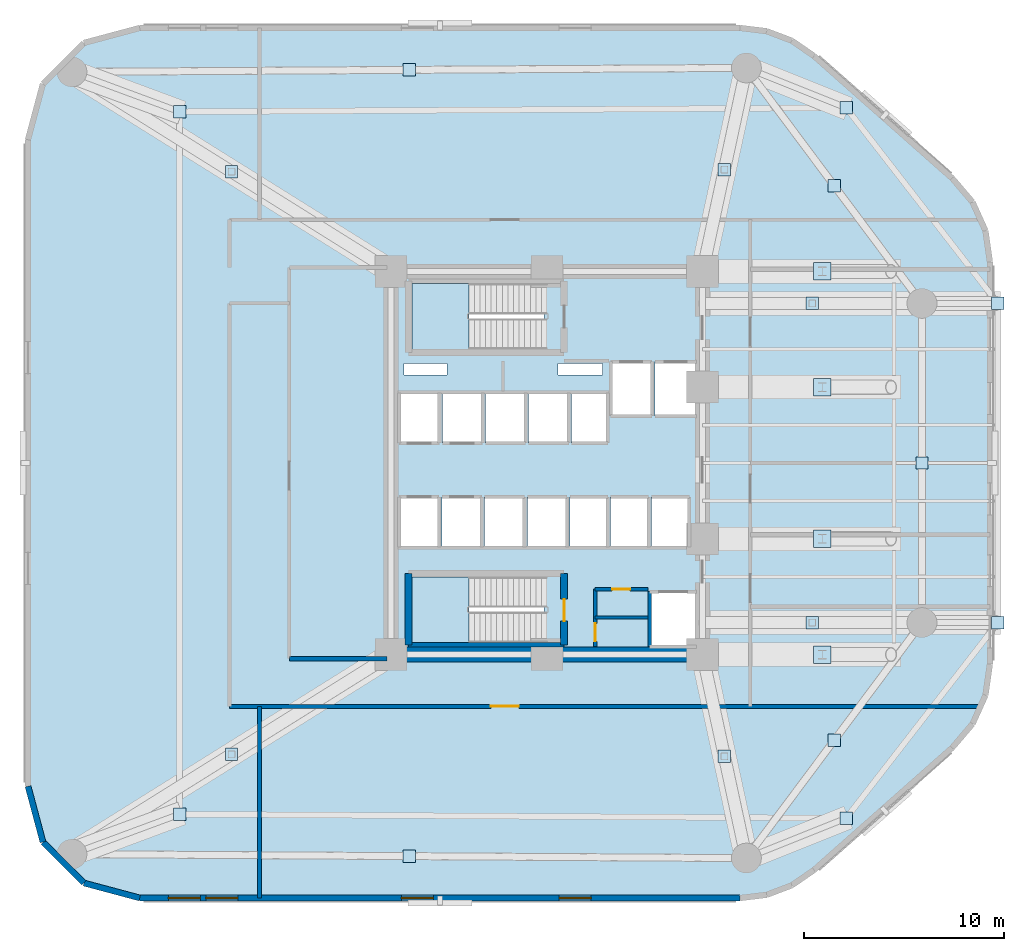
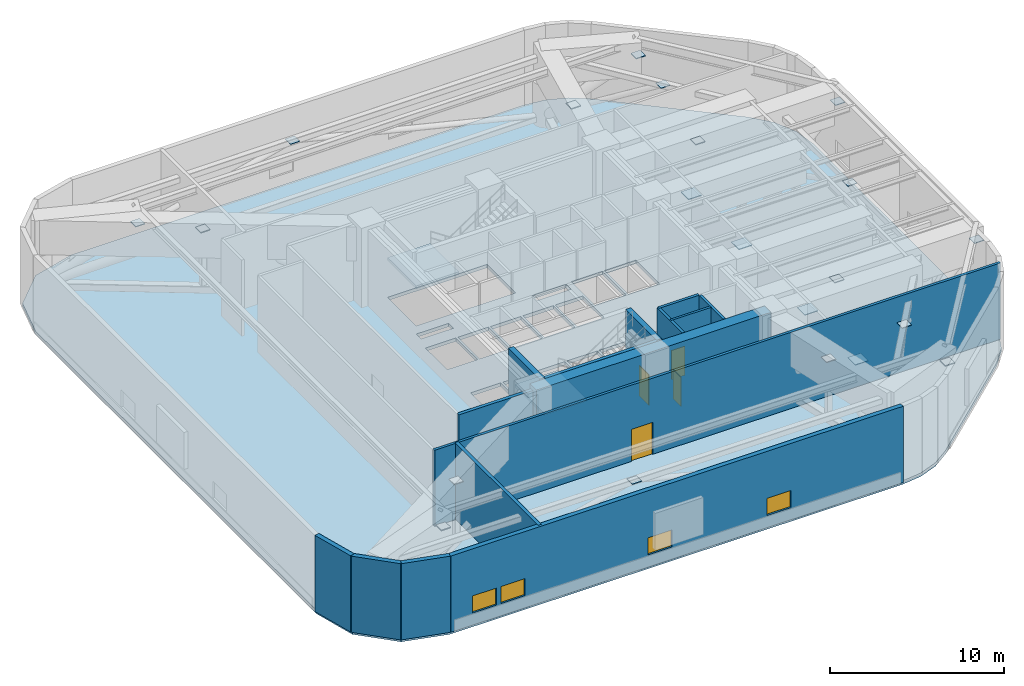
# One storey, part 6 of 11: 21 plates, 15 walls, 4 doors, 4 windows, 3 slabs, 8 openings, 2 elements without a shape of their own.
"""IFC4 building model written with IfcOpenShell, lengths in metres."""

from ifc_helpers import new_model, si_unit, direction, frame, frame_2d, origin, origin_2d, place, context, subcontext, project, spatial, polyline, rectangle, outline, extrude, material, layer, layer_set, type_object, element, fill, aggregate, save


model = new_model("IFC4")

# Units and contexts
model_context = context("Model", 3, precision=1e-05, world=origin(), true_north=direction((0.0, 1.0)))
body_context = subcontext(model_context, "Body", "Model", "MODEL_VIEW")
ifc_project = project(units=[si_unit("LENGTHUNIT", "METRE"), si_unit("AREAUNIT", "SQUARE_METRE"), si_unit("VOLUMEUNIT", "CUBIC_METRE"), si_unit("PLANEANGLEUNIT", "RADIAN"), si_unit("MASSUNIT", "GRAM", prefix="KILO")], contexts=[model_context])

# Site, building, storey
site_placement = place(None, origin())
site = spatial("IfcSite", under=ifc_project, at=site_placement, CompositionType="ELEMENT")
building_placement = place(site_placement, origin())
building = spatial("IfcBuilding", under=site, at=building_placement, Name="An Khanh Terracotta Commons", CompositionType="ELEMENT")
storey_placement = place(building_placement, frame((0.0, 0.0, 75.60009765625)))
storey = spatial("IfcBuildingStorey", under=building, at=storey_placement, Name="L20", CompositionType="ELEMENT", Elevation=75.60009765625)

# Plates
ifc_material_1 = material(Name="Steel S460ML", Category="steel")
ifc_layer_1 = layer(ifc_material_1, 0.031982421875, Name="Steel S460ML")
ifc_layer_set_1 = layer_set([ifc_layer_1], Name="Steel S460ML")
plate_type_1 = type_object("IfcPlateType", Name="PLATE-GUSSET-32", PredefinedType="USERDEFINED", material=ifc_layer_set_1)
for number, where, z_axis, x_axis, name in (
    (1, (22.5, 4.300048828125, 4.59375), (0.0, 0.0, 1.0), (1.0, 0.0, 0.0), "L20 Belt-Truss Apex Gusset Plate 1"),
    (2, (43.800048828125, 10.10009765625, 4.59375), (0.0, 0.0, 1.0), (1.0, 0.0, 0.0), "L20 Belt-Truss Apex Gusset Plate 2"),
    (3, (48.199951171875, 24.0, 4.59375), (0.0, 0.0, 1.0), (1.0, 0.0, 0.0), "L20 Belt-Truss Apex Gusset Plate 3"),
    (4, (43.800048828125, 37.89990234375, 4.59375), (0.0, 0.0, 1.0), (1.0, 0.0, 0.0), "L20 Belt-Truss Apex Gusset Plate 4"),
    (5, (22.5, 43.699951171875, 4.59375), (0.0, 0.0, 1.0), (1.0, 0.0, 0.0), "L20 Belt-Truss Apex Gusset Plate 5"),
):
    element("IfcPlate", number, at=place(storey_placement, frame(where, z_axis=z_axis, x_axis=x_axis)), inside=storey, type_object=plate_type_1, Name=name, ObjectType="FLANGE_PLATE", PredefinedType="USERDEFINED", context=body_context, shape_type="SweptSolid", body=[
        extrude(rectangle(XDim=0.6201171875, YDim=0.6201171875, at=origin_2d()), origin(), (0.0, 0.0, 1.0), 0.031982421875),
    ])
ifc_layer_2 = layer(ifc_material_1, 0.0400390625, Name="Steel S460ML")
ifc_layer_set_2 = layer_set([ifc_layer_2], Name="Steel S460ML")
plate_type_2 = type_object("IfcPlateType", Name="PLATE-GUSSET-40", PredefinedType="USERDEFINED", material=ifc_layer_set_2)
for number, where, z_axis, x_axis, name in (
    (6, (13.60009765625, 9.39990234375, 4.58984375), (0.0, 0.0, 1.0), (1.0, 0.0, 0.0), "L20 Outrigger Tie Apex Flange Plate 1"),
    (7, (38.300048828125, 9.300048828125, 4.58984375), (0.0, 0.0, 1.0), (1.0, 0.0, 0.0), "L20 Outrigger Tie Apex Flange Plate 2"),
    (8, (42.699951171875, 16.0, 4.58984375), (0.0, 0.0, 1.0), (1.0, 0.0, 0.0), "L20 Outrigger Tie Apex Flange Plate 3"),
    (9, (42.699951171875, 32.0, 4.58984375), (0.0, 0.0, 1.0), (1.0, 0.0, 0.0), "L20 Outrigger Tie Apex Flange Plate 4"),
    (10, (38.300048828125, 38.699951171875, 4.58984375), (0.0, 0.0, 1.0), (1.0, 0.0, 0.0), "L20 Outrigger Tie Apex Flange Plate 5"),
    (11, (13.60009765625, 38.60009765625, 4.58984375), (0.0, 0.0, 1.0), (1.0, 0.0, 0.0), "L20 Outrigger Tie Apex Flange Plate 6"),
):
    element("IfcPlate", number, at=place(storey_placement, frame(where, z_axis=z_axis, x_axis=x_axis)), inside=storey, type_object=plate_type_2, Name=name, ObjectType="FLANGE_PLATE", PredefinedType="USERDEFINED", context=body_context, shape_type="SweptSolid", body=[
        extrude(rectangle(XDim=0.6201171875, YDim=0.6201171875, at=origin_2d()), origin(), (0.0, 0.0, 1.0), 0.0400390625),
    ])
ifc_layer_3 = layer(ifc_material_1, 0.050048828125, Name="Steel S460ML")
ifc_layer_set_3 = layer_set([ifc_layer_3], Name="Steel S460ML")
plate_type_3 = type_object("IfcPlateType", Name="PLATE-GUSSET-50", PredefinedType="USERDEFINED", material=ifc_layer_set_3)
for number, where, z_axis, x_axis, name in (
    (12, (11.0, 6.39990234375, 4.0849609375), (0.0, 0.0, 1.0), (1.0, 0.0, 0.0), "L20 Outrigger Kink Node End-Cap Plate 1"),
    (13, (44.39990234375, 6.199951171875, 4.0849609375), (0.0, 0.0, 1.0), (1.0, 0.0, 0.0), "L20 Outrigger Kink Node End-Cap Plate 2"),
    (14, (52.0, 16.0, 4.0849609375), (0.0, 0.0, 1.0), (1.0, 0.0, 0.0), "L20 Outrigger Kink Node End-Cap Plate 3"),
    (15, (52.0, 32.0, 4.0849609375), (0.0, 0.0, 1.0), (1.0, 0.0, 0.0), "L20 Outrigger Kink Node End-Cap Plate 4"),
    (16, (44.39990234375, 41.800048828125, 4.0849609375), (0.0, 0.0, 1.0), (1.0, 0.0, 0.0), "L20 Outrigger Kink Node End-Cap Plate 5"),
    (17, (11.0, 41.60009765625, 4.0849609375), (0.0, 0.0, 1.0), (1.0, 0.0, 0.0), "L20 Outrigger Kink Node End-Cap Plate 6"),
):
    element("IfcPlate", number, at=place(storey_placement, frame(where, z_axis=z_axis, x_axis=x_axis)), inside=storey, type_object=plate_type_3, Name=name, ObjectType="FLANGE_PLATE", PredefinedType="USERDEFINED", context=body_context, shape_type="SweptSolid", body=[
        extrude(rectangle(XDim=0.6201171875, YDim=0.6201171875, at=origin_2d()), origin(), (0.0, 0.0, 1.0), 0.050048828125),
    ])
for number, where, z_axis, x_axis, name in (
    (18, (43.199951171875, 14.39990234375, -0.294921875), (0.0, 0.0, 1.0), (1.0, 0.0, 0.0), "L20 Interior Column Raking Strut Base End-Cap Plate 1"),
    (19, (43.199951171875, 20.199951171875, -0.294921875), (0.0, 0.0, 1.0), (1.0, 0.0, 0.0), "L20 Interior Column Raking Strut Base End-Cap Plate 2"),
    (20, (43.199951171875, 27.800048828125, -0.294921875), (0.0, 0.0, 1.0), (1.0, 0.0, 0.0), "L20 Interior Column Raking Strut Base End-Cap Plate 3"),
    (21, (43.199951171875, 33.60009765625, -0.294921875), (0.0, 0.0, 1.0), (1.0, 0.0, 0.0), "L20 Interior Column Raking Strut Base End-Cap Plate 4"),
):
    element("IfcPlate", number, at=place(storey_placement, frame(where, z_axis=z_axis, x_axis=x_axis)), inside=storey, type_object=plate_type_3, Name=name, ObjectType="FLANGE_PLATE", PredefinedType="USERDEFINED", context=body_context, shape_type="SweptSolid", body=[
        extrude(rectangle(XDim=0.8798828125, YDim=0.8798828125, at=origin_2d()), origin(), (0.0, 0.0, 1.0), 0.050048828125),
    ])

# Stair, slab
ifc_material_2 = material(Name="Precast concrete C40/50", Category="concrete")
stair_type = type_object("IfcStairType", Name="STAIR-CORE-1550", PredefinedType="HALF_TURN_STAIR", material=ifc_material_2)
stair_1_placement = place(storey_placement, origin())
stair_1 = element("IfcStair", 22, at=stair_1_placement, inside=storey, type_object=stair_type, Name="L20 Core Smokeproof Exit Stair ST-01", PredefinedType="HALF_TURN_STAIR")
ifc_material_3 = material(Name="Concrete C40/50", Category="concrete")
ifc_layer_4 = layer(ifc_material_3, 0.18994140625, Name="Concrete C40/50")
ifc_layer_set_4 = layer_set([ifc_layer_4], Name="Concrete C40/50")
slab_type_1 = type_object("IfcSlabType", Name="SLAB-LANDING-190", PredefinedType="LANDING", material=ifc_layer_set_4)
slab_1_placement = place(storey_placement, frame((0.0, 0.0, 2.599853515625)))
slab_1 = element("IfcSlab", 23, at=slab_1_placement, type_object=slab_type_1, Name="ST-01 landing 1", PredefinedType="LANDING", context=body_context, shape_type="SweptSolid", body=[
    extrude(outline(polyline([(25.489990234375, 33.0), (22.64990234375, 33.0), (22.64990234375, 29.699951171875), (25.489990234375, 29.699951171875), (25.489990234375, 33.0)])), origin(), (0.0, 0.0, 1.0), 0.199951171875),
])
aggregate(stair_1, [slab_1])

stair_2_placement = place(storey_placement, origin())
stair_2 = element("IfcStair", 24, at=stair_2_placement, inside=storey, type_object=stair_type, Name="L20 Core Smokeproof Exit Stair ST-02", PredefinedType="HALF_TURN_STAIR")
slab_2_placement = place(storey_placement, frame((0.0, 0.0, 2.599853515625)))
slab_2 = element("IfcSlab", 25, at=slab_2_placement, type_object=slab_type_1, Name="ST-02 landing 1", PredefinedType="LANDING", context=body_context, shape_type="SweptSolid", body=[
    extrude(outline(polyline([(25.489990234375, 18.300048828125), (22.64990234375, 18.300048828125), (22.64990234375, 15.0), (25.489990234375, 15.0), (25.489990234375, 18.300048828125)])), origin(), (0.0, 0.0, 1.0), 0.199951171875),
])
aggregate(stair_2, [slab_2])

# Slab
ifc_layer_5 = layer(ifc_material_3, 0.260009765625, Name="Concrete C40/50")
ifc_layer_set_5 = layer_set([ifc_layer_5], Name="Concrete C40/50")
slab_type_2 = type_object("IfcSlabType", Name="SLAB-REF-260", PredefinedType="FLOOR", material=ifc_layer_set_5)
slab_3_placement = place(storey_placement, frame((0.0, 0.0, -0.239990234375)))
element("IfcSlab", 26, at=slab_3_placement, inside=storey, type_object=slab_type_2, Name="L20 Structural Floor Slab", PredefinedType="FLOOR", context=body_context, shape_type="SweptSolid", body=[
    extrude(outline(polyline([(3.39990234375, 7.800048828125), (4.14990234375, 5.0), (6.199951171875, 2.949951171875), (9.0, 2.199951171875), (39.0791015625, 2.199951171875), (40.4169921875, 2.362060546875), (41.678955078125, 2.840087890625), (42.7890625, 3.60595703125), (49.7099609375, 9.72802734375), (50.73193359375, 10.927978515625), (51.37890625, 12.363037109375), (51.60009765625, 13.923095703125), (51.60009765625, 34.076904296875), (51.37890625, 35.636962890625), (50.73193359375, 37.072021484375), (49.7099609375, 38.27197265625), (42.7890625, 44.39404296875), (41.678955078125, 45.159912109375), (40.4169921875, 45.637939453125), (39.0791015625, 45.800048828125), (9.0, 45.800048828125), (6.199951171875, 45.050048828125), (4.14990234375, 43.0), (3.39990234375, 40.199951171875), (3.39990234375, 7.800048828125)]), holes=[polyline([(22.64990234375, 29.699951171875), (29.27001953125, 29.699951171875), (29.27001953125, 33.0), (22.64990234375, 33.0), (22.64990234375, 29.699951171875)]), polyline([(22.64990234375, 15.0), (29.27001953125, 15.0), (29.27001953125, 18.300048828125), (22.64990234375, 18.300048828125), (22.64990234375, 15.0)]), polyline([(32.60009765625, 26.35009765625), (34.679931640625, 26.35009765625), (34.679931640625, 29.080078125), (32.60009765625, 29.080078125), (32.60009765625, 26.35009765625)]), polyline([(34.820068359375, 26.35009765625), (36.89990234375, 26.35009765625), (36.89990234375, 29.080078125), (34.820068359375, 29.080078125), (34.820068359375, 26.35009765625)]), polyline([(34.550048828125, 14.800048828125), (36.89990234375, 14.800048828125), (36.89990234375, 17.550048828125), (34.550048828125, 17.550048828125), (34.550048828125, 14.800048828125)]), polyline([(22.0, 25.0), (24.02001953125, 25.0), (24.02001953125, 27.5), (22.0, 27.5), (22.0, 25.0)]), polyline([(24.159912109375, 25.0), (26.179931640625, 25.0), (26.179931640625, 27.5), (24.159912109375, 27.5), (24.159912109375, 25.0)]), polyline([(22.0, 19.800048828125), (24.0, 19.800048828125), (24.0, 22.300048828125), (22.0, 22.300048828125), (22.0, 19.800048828125)]), polyline([(24.139892578125, 19.800048828125), (26.139892578125, 19.800048828125), (26.139892578125, 22.300048828125), (24.139892578125, 22.300048828125), (24.139892578125, 19.800048828125)]), polyline([(26.320068359375, 25.0), (28.340087890625, 25.0), (28.340087890625, 27.5), (26.320068359375, 27.5), (26.320068359375, 25.0)]), polyline([(28.47998046875, 25.0), (30.5, 25.0), (30.5, 27.5), (28.47998046875, 27.5), (28.47998046875, 25.0)]), polyline([(26.280029296875, 19.800048828125), (28.280029296875, 19.800048828125), (28.280029296875, 22.300048828125), (26.280029296875, 22.300048828125), (26.280029296875, 19.800048828125)]), polyline([(28.419921875, 19.800048828125), (30.419921875, 19.800048828125), (30.419921875, 22.300048828125), (28.419921875, 22.300048828125), (28.419921875, 19.800048828125)]), polyline([(30.639892578125, 25.0), (32.4599609375, 25.0), (32.4599609375, 27.5), (30.639892578125, 27.5), (30.639892578125, 25.0)]), polyline([(30.56005859375, 19.800048828125), (32.4599609375, 19.800048828125), (32.4599609375, 22.300048828125), (30.56005859375, 22.300048828125), (30.56005859375, 19.800048828125)]), polyline([(32.60009765625, 19.800048828125), (34.5, 19.800048828125), (34.5, 22.300048828125), (32.60009765625, 22.300048828125), (32.60009765625, 19.800048828125)]), polyline([(34.639892578125, 19.800048828125), (36.5400390625, 19.800048828125), (36.5400390625, 22.300048828125), (34.639892578125, 22.300048828125), (34.639892578125, 19.800048828125)]), polyline([(22.25, 28.419921875), (24.39990234375, 28.419921875), (24.39990234375, 28.97998046875), (22.25, 28.97998046875), (22.25, 28.419921875)]), polyline([(29.949951171875, 28.419921875), (32.199951171875, 28.419921875), (32.199951171875, 28.97998046875), (29.949951171875, 28.97998046875), (29.949951171875, 28.419921875)])]), origin(), (0.0, 0.0, 1.0), 0.239990234375),
])

# Wall
ifc_material_4 = material(Name="Concrete C70/85", Category="concrete")
ifc_layer_6 = layer(ifc_material_4, 0.75, Name="Concrete C70/85")
ifc_layer_set_6 = layer_set([ifc_layer_6], Name="Concrete C70/85")
wall_type_1 = type_object("IfcWallType", Name="WALL-CORE-750", PredefinedType="SHEAR", material=ifc_layer_set_6)
wall_1_placement = place(storey_placement, frame((37.199951171875, 14.39990234375, 0.0), z_axis=(0.0, 0.0, 1.0), x_axis=(-1.0, 0.0, 0.0)))
element("IfcWall", 27, at=wall_1_placement, inside=storey, type_object=wall_type_1, Name="L20 Core Wall CWALL-L20-S", PredefinedType="SHEAR", context=body_context, shape_type="SweptSolid", body=[
    extrude(rectangle(XDim=15.599853515625, YDim=0.75, at=frame_2d((7.7998046875, 0.0))), origin(), (0.0, 0.0, 1.0), 5.35986328125),
])

# Wall, opening, door
ifc_material_5 = material(Name="Fire-Rated Gypsum Board on Steel Stud", Category="steel")
ifc_layer_7 = layer(ifc_material_5, 0.179931640625, Name="Fire-Rated Gypsum Board on Steel Stud")
ifc_layer_set_7 = layer_set([ifc_layer_7], Name="Fire-Rated Gypsum Board on Steel Stud")
wall_type_2 = type_object("IfcWallType", Name="WALL-CORR-180", PredefinedType="PARTITIONING", material=ifc_layer_set_7)
wall_2_placement = place(storey_placement, frame((31.820068359375, 17.679931640625, 0.0), z_axis=(0.0, 0.0, 1.0), x_axis=(1.0, 0.0, 0.0)))
wall_2 = element("IfcWall", 28, at=wall_2_placement, inside=storey, type_object=wall_type_2, Name="L20 Core Wall SSVCW-L20-N", PredefinedType="PARTITIONING", context=body_context, shape_type="SweptSolid", body=[
    extrude(rectangle(XDim=2.659912109375, YDim=0.179931640625, at=frame_2d((1.330078125, 0.0))), origin(), (0.0, 0.0, 1.0), 5.35986328125),
])
opening_1_placement = place(wall_2_placement, frame((0.85009765625, 0.0, 0.0)))
opening_1 = element("IfcOpeningElement", 29, at=opening_1_placement, cuts=wall_2, Name="Opening D-SV", PredefinedType="OPENING", context=body_context, shape_type="SweptSolid", body=[
    extrude(rectangle(XDim=0.89990234375, YDim=2.050048828125, at=frame_2d((0.449951171875, 1.02490234375))), frame((0.0, 0.099853515625, 0.0), z_axis=(0.0, -1.0, 0.0), x_axis=(1.0, 0.0, 0.0)), (0.0, 0.0, 1.0), 0.199951171875),
])
ifc_material_6 = material(Name="Fire-Rated Powder-Coated Steel Door", Category="steel")
door_type_1 = type_object("IfcDoorType", Name="DOOR-SERV-900", OperationType="NOTDEFINED", PredefinedType="DOOR", material=ifc_material_6)
door_1_placement = place(opening_1_placement, origin())
door_1 = element("IfcDoor", 30, at=door_1_placement, inside=storey, type_object=door_type_1, Name="L20 Refuge Fire-Pump Equipment Plant Room Door", OperationType="SINGLE_SWING_LEFT", OverallHeight=2.050048828125, OverallWidth=0.89990234375, PredefinedType="DOOR", context=body_context, shape_type="SweptSolid", body=[
    extrude(rectangle(XDim=0.89990234375, YDim=2.050048828125, at=frame_2d((0.449951171875, 1.02490234375))), frame((0.0, 0.02490234375, 0.0), z_axis=(0.0, -1.0, 0.0), x_axis=(1.0, 0.0, 0.0)), (0.0, 0.0, 1.0), 0.050048828125),
])
fill(opening_1, door_1)

wall_3_placement = place(storey_placement, frame((31.820068359375, 14.800048828125, 0.0), z_axis=(0.0, 0.0, 1.0), x_axis=(0.0, 1.0, 0.0)))
wall_3 = element("IfcWall", 31, at=wall_3_placement, inside=storey, type_object=wall_type_2, Name="L20 Core Wall SSVCW-L20-W", PredefinedType="PARTITIONING", context=body_context, shape_type="SweptSolid", body=[
    extrude(rectangle(XDim=2.8798828125, YDim=0.179931640625, at=frame_2d((1.43994140625, 0.0))), origin(), (0.0, 0.0, 1.0), 5.35986328125),
])
opening_2_placement = place(wall_3_placement, frame((0.260009765625, 0.0, 0.0)))
opening_2 = element("IfcOpeningElement", 32, at=opening_2_placement, cuts=wall_3, Name="Opening D-SV", PredefinedType="OPENING", context=body_context, shape_type="SweptSolid", body=[
    extrude(rectangle(XDim=0.89990234375, YDim=2.050048828125, at=frame_2d((0.449951171875, 1.02490234375))), frame((0.0, 0.099853515625, 0.0), z_axis=(0.0, -1.0, 0.0), x_axis=(1.0, 0.0, 0.0)), (0.0, 0.0, 1.0), 0.199951171875),
])
door_2_placement = place(opening_2_placement, origin())
door_2 = element("IfcDoor", 33, at=door_2_placement, inside=storey, type_object=door_type_1, Name="L20 Mechanical BMS Switchroom Door", OperationType="SINGLE_SWING_RIGHT", OverallHeight=2.050048828125, OverallWidth=0.89990234375, PredefinedType="DOOR", context=body_context, shape_type="SweptSolid", body=[
    extrude(rectangle(XDim=0.89990234375, YDim=2.050048828125, at=frame_2d((0.449951171875, 1.02490234375))), frame((0.0, 0.02490234375, 0.0), z_axis=(0.0, -1.0, 0.0), x_axis=(1.0, 0.0, 0.0)), (0.0, 0.0, 1.0), 0.050048828125),
])
fill(opening_2, door_2)

# Wall
wall_4_placement = place(storey_placement, frame((34.550048828125, 17.550048828125, 0.0), z_axis=(0.0, 0.0, 1.0), x_axis=(0.0, -1.0, 0.0)))
element("IfcWall", 34, at=wall_4_placement, inside=storey, type_object=wall_type_2, Name="L20 Core Wall LSH-L20-SVL-01-W", PredefinedType="PARTITIONING", context=body_context, shape_type="SweptSolid", body=[
    extrude(rectangle(XDim=2.75, YDim=0.179931640625, at=frame_2d((1.375, 0.0))), origin(), (0.0, 0.0, 1.0), 5.35986328125),
])

# Wall, opening, door
wall_5_placement = place(storey_placement, frame((13.5, 11.800048828125, 0.0), z_axis=(0.0, 0.0, 1.0), x_axis=(1.0, 0.0, 0.0)))
wall_5 = element("IfcWall", 35, at=wall_5_placement, inside=storey, type_object=wall_type_2, Name="L20 Interior Partition IW-L20-E001", PredefinedType="PARTITIONING", context=body_context, shape_type="SweptSolid", body=[
    extrude(rectangle(XDim=37.625, YDim=0.179931640625, at=frame_2d((18.8125, 0.0))), origin(), (0.0, 0.0, 1.0), 5.35986328125),
])
opening_3_placement = place(wall_5_placement, frame((13.10009765625, 0.0, 0.0)))
opening_3 = element("IfcOpeningElement", 36, at=opening_3_placement, cuts=wall_5, Name="Opening D-PL", PredefinedType="OPENING", context=body_context, shape_type="SweptSolid", body=[
    extrude(rectangle(XDim=1.39990234375, YDim=2.25, at=frame_2d((0.699951171875, 1.125))), frame((0.0, 0.099853515625, 0.0), z_axis=(0.0, -1.0, 0.0), x_axis=(1.0, 0.0, 0.0)), (0.0, 0.0, 1.0), 0.199951171875),
])
ifc_material_7 = material(Name="Heavy-Duty Acoustic Steel Double Plant Door", Category="steel")
door_type_2 = type_object("IfcDoorType", Name="DOOR-PLANT-1400", OperationType="NOTDEFINED", PredefinedType="DOOR", material=ifc_material_7)
door_3_placement = place(opening_3_placement, origin())
door_3 = element("IfcDoor", 37, at=door_3_placement, inside=storey, type_object=door_type_2, Name="L20 REFS South Pressurised Refuge Area Door", OperationType="DOUBLE_DOOR_SINGLE_SWING", OverallHeight=2.25, OverallWidth=1.39990234375, PredefinedType="DOOR", context=body_context, shape_type="SweptSolid", body=[
    extrude(rectangle(XDim=1.39990234375, YDim=2.25, at=frame_2d((0.699951171875, 1.125))), frame((0.0, 0.02490234375, 0.0), z_axis=(0.0, -1.0, 0.0), x_axis=(1.0, 0.0, 0.0)), (0.0, 0.0, 1.0), 0.050048828125),
])
fill(opening_3, door_3)

# Walls
ifc_layer_8 = layer(ifc_material_2, 0.300048828125, Name="Precast concrete C40/50")
ifc_layer_set_8 = layer_set([ifc_layer_8], Name="Precast concrete C40/50")
wall_type_3 = type_object("IfcWallType", Name="WALL-EXT-300", PredefinedType="SOLIDWALL", material=ifc_layer_set_8)
wall_6_placement = place(storey_placement, frame((3.39990234375, 7.800048828125, 0.0), z_axis=(0.0, 0.0, 1.0), x_axis=(0.258731875344, -0.96594917914, 0.0)))
element("IfcWall", 38, at=wall_6_placement, inside=storey, type_object=wall_type_3, Name="L20 Insulated Terracotta Exterior Wall 1", PredefinedType="SOLIDWALL", context=body_context, shape_type="SweptSolid", body=[
    extrude(rectangle(XDim=2.898681640625, YDim=0.300048828125, at=frame_2d((1.44921875, 0.0))), origin(), (0.0, 0.0, 1.0), 5.35986328125),
])
wall_7_placement = place(storey_placement, frame((4.14990234375, 5.0, 0.0), z_axis=(0.0, 0.0, 1.0), x_axis=(0.707106781187, -0.707106781187, 0.0)))
element("IfcWall", 39, at=wall_7_placement, inside=storey, type_object=wall_type_3, Name="L20 Insulated Terracotta Exterior Wall 2", PredefinedType="SOLIDWALL", context=body_context, shape_type="SweptSolid", body=[
    extrude(rectangle(XDim=2.899169921875, YDim=0.300048828125, at=frame_2d((1.44970703125, 0.0))), origin(), (0.0, 0.0, 1.0), 5.35986328125),
])
wall_8_placement = place(storey_placement, frame((6.199951171875, 2.949951171875, 0.0), z_axis=(0.0, 0.0, 1.0), x_axis=(0.96594917914, -0.258731875344, 0.0)))
element("IfcWall", 40, at=wall_8_placement, inside=storey, type_object=wall_type_3, Name="L20 Insulated Terracotta Exterior Wall 3", PredefinedType="SOLIDWALL", context=body_context, shape_type="SweptSolid", body=[
    extrude(rectangle(XDim=2.898681640625, YDim=0.300048828125, at=frame_2d((1.44921875, 0.0))), origin(), (0.0, 0.0, 1.0), 5.35986328125),
])

# Wall, openings, windows
wall_9_placement = place(storey_placement, frame((9.0, 2.199951171875, 0.0), z_axis=(0.0, 0.0, 1.0), x_axis=(1.0, 0.0, 0.0)))
wall_9 = element("IfcWall", 41, at=wall_9_placement, inside=storey, type_object=wall_type_3, Name="L20 Insulated Terracotta Exterior Wall 4", PredefinedType="SOLIDWALL", context=body_context, shape_type="SweptSolid", body=[
    extrude(rectangle(XDim=30.0791015625, YDim=0.300048828125, at=frame_2d((15.03955078125, 0.0))), origin(), (0.0, 0.0, 1.0), 5.35986328125),
])
opening_4_placement = place(wall_9_placement, frame((1.43310546875, 0.0, 0.85009765625)))
opening_4 = element("IfcOpeningElement", 42, at=opening_4_placement, cuts=wall_9, Name="Opening W-12", PredefinedType="OPENING", context=body_context, shape_type="SweptSolid", body=[
    extrude(rectangle(XDim=1.60009765625, YDim=1.199951171875, at=frame_2d((0.800048828125, 0.60009765625))), frame((0.0, 0.159912109375, 0.0), z_axis=(0.0, -1.0, 0.0), x_axis=(1.0, 0.0, 0.0)), (0.0, 0.0, 1.0), 0.320068359375),
])
opening_5_placement = place(wall_9_placement, frame((3.31689453125, 0.0, 0.85009765625)))
opening_5 = element("IfcOpeningElement", 43, at=opening_5_placement, cuts=wall_9, Name="Opening W-12", PredefinedType="OPENING", context=body_context, shape_type="SweptSolid", body=[
    extrude(rectangle(XDim=1.60009765625, YDim=1.199951171875, at=frame_2d((0.800048828125, 0.60009765625))), frame((0.0, 0.159912109375, 0.0), z_axis=(0.0, -1.0, 0.0), x_axis=(1.0, 0.0, 0.0)), (0.0, 0.0, 1.0), 0.320068359375),
])
opening_6_placement = place(wall_9_placement, frame((13.110107421875, 0.0, 0.85009765625)))
opening_6 = element("IfcOpeningElement", 44, at=opening_6_placement, cuts=wall_9, Name="Opening W-12", PredefinedType="OPENING", context=body_context, shape_type="SweptSolid", body=[
    extrude(rectangle(XDim=1.60009765625, YDim=1.199951171875, at=frame_2d((0.800048828125, 0.60009765625))), frame((0.0, 0.159912109375, 0.0), z_axis=(0.0, -1.0, 0.0), x_axis=(1.0, 0.0, 0.0)), (0.0, 0.0, 1.0), 0.320068359375),
])
opening_7_placement = place(wall_9_placement, frame((21.01904296875, 0.0, 0.85009765625)))
opening_7 = element("IfcOpeningElement", 45, at=opening_7_placement, cuts=wall_9, Name="Opening W-12", PredefinedType="OPENING", context=body_context, shape_type="SweptSolid", body=[
    extrude(rectangle(XDim=1.60009765625, YDim=1.199951171875, at=frame_2d((0.800048828125, 0.60009765625))), frame((0.0, 0.159912109375, 0.0), z_axis=(0.0, -1.0, 0.0), x_axis=(1.0, 0.0, 0.0)), (0.0, 0.0, 1.0), 0.320068359375),
])
ifc_material_8 = material(Name="Thermally Broken Aluminium and Low-E Glass", Category="aluminium")
window_type = type_object("IfcWindowType", Name="WIN-REF-1600x1200", PartitioningType="DOUBLE_PANEL_VERTICAL", PredefinedType="WINDOW", material=ifc_material_8)
window_1_placement = place(opening_4_placement, origin())
window_1 = element("IfcWindow", 46, at=window_1_placement, inside=storey, type_object=window_type, Name="L20 Operable Casement Window 4.1", OverallHeight=1.199951171875, OverallWidth=1.60009765625, PartitioningType="DOUBLE_PANEL_VERTICAL", PredefinedType="WINDOW", context=body_context, shape_type="SweptSolid", body=[
    extrude(rectangle(XDim=1.60009765625, YDim=1.199951171875, at=frame_2d((0.800048828125, 0.60009765625))), frame((0.0, 0.030029296875, 0.0), z_axis=(0.0, -1.0, 0.0), x_axis=(1.0, 0.0, 0.0)), (0.0, 0.0, 1.0), 0.06005859375),
])
fill(opening_4, window_1)
window_2_placement = place(opening_5_placement, origin())
window_2 = element("IfcWindow", 47, at=window_2_placement, inside=storey, type_object=window_type, Name="L20 Operable Casement Window 4.2", OverallHeight=1.199951171875, OverallWidth=1.60009765625, PartitioningType="DOUBLE_PANEL_VERTICAL", PredefinedType="WINDOW", context=body_context, shape_type="SweptSolid", body=[
    extrude(rectangle(XDim=1.60009765625, YDim=1.199951171875, at=frame_2d((0.800048828125, 0.60009765625))), frame((0.0, 0.030029296875, 0.0), z_axis=(0.0, -1.0, 0.0), x_axis=(1.0, 0.0, 0.0)), (0.0, 0.0, 1.0), 0.06005859375),
])
fill(opening_5, window_2)
window_3_placement = place(opening_6_placement, origin())
window_3 = element("IfcWindow", 48, at=window_3_placement, inside=storey, type_object=window_type, Name="L20 Operable Casement Window 4.3", OverallHeight=1.199951171875, OverallWidth=1.60009765625, PartitioningType="DOUBLE_PANEL_VERTICAL", PredefinedType="WINDOW", context=body_context, shape_type="SweptSolid", body=[
    extrude(rectangle(XDim=1.60009765625, YDim=1.199951171875, at=frame_2d((0.800048828125, 0.60009765625))), frame((0.0, 0.030029296875, 0.0), z_axis=(0.0, -1.0, 0.0), x_axis=(1.0, 0.0, 0.0)), (0.0, 0.0, 1.0), 0.06005859375),
])
fill(opening_6, window_3)
window_4_placement = place(opening_7_placement, origin())
window_4 = element("IfcWindow", 49, at=window_4_placement, inside=storey, type_object=window_type, Name="L20 Operable Casement Window 4.4", OverallHeight=1.199951171875, OverallWidth=1.60009765625, PartitioningType="DOUBLE_PANEL_VERTICAL", PredefinedType="WINDOW", context=body_context, shape_type="SweptSolid", body=[
    extrude(rectangle(XDim=1.60009765625, YDim=1.199951171875, at=frame_2d((0.800048828125, 0.60009765625))), frame((0.0, 0.030029296875, 0.0), z_axis=(0.0, -1.0, 0.0), x_axis=(1.0, 0.0, 0.0)), (0.0, 0.0, 1.0), 0.06005859375),
])
fill(opening_7, window_4)

# Walls
ifc_material_9 = material(Name="Acoustic Gypsum Board Partition")
ifc_layer_9 = layer(ifc_material_9, 0.14990234375, Name="Acoustic Gypsum Board Partition")
ifc_layer_set_9 = layer_set([ifc_layer_9], Name="Acoustic Gypsum Board Partition")
wall_type_4 = type_object("IfcWallType", Name="WALL-PART-150", PredefinedType="PARTITIONING", material=ifc_layer_set_9)
wall_10_placement = place(storey_placement, frame((31.820068359375, 16.260009765625, 0.0), z_axis=(0.0, 0.0, 1.0), x_axis=(1.0, 0.0, 0.0)))
element("IfcWall", 50, at=wall_10_placement, inside=storey, type_object=wall_type_4, Name="L20 Core Wall SSVCW-L20-M", PredefinedType="PARTITIONING", context=body_context, shape_type="SweptSolid", body=[
    extrude(rectangle(XDim=2.659912109375, YDim=0.14990234375, at=frame_2d((1.330078125, 0.0))), origin(), (0.0, 0.0, 1.0), 5.35986328125),
])
ifc_material_10 = material(Name="Acoustic Double-Stud Gypsum and Mineral Wool")
ifc_layer_10 = layer(ifc_material_10, 0.219970703125, Name="Acoustic Double-Stud Gypsum and Mineral Wool")
ifc_layer_set_10 = layer_set([ifc_layer_10], Name="Acoustic Double-Stud Gypsum and Mineral Wool")
wall_type_5 = type_object("IfcWallType", Name="WALL-PARTY-220", PredefinedType="PARTITIONING", material=ifc_layer_set_10)
wall_11_placement = place(storey_placement, frame((22.47998046875, 14.889892578125, 0.0), z_axis=(0.0, 0.0, 1.0), x_axis=(1.0, 0.0, 0.0)))
element("IfcWall", 51, at=wall_11_placement, inside=storey, type_object=wall_type_5, Name="L20 Core Wall STW-L20-S-S", PredefinedType="PARTITIONING", context=body_context, shape_type="SweptSolid", body=[
    extrude(rectangle(XDim=7.7900390625, YDim=0.219970703125, at=frame_2d((3.89501953125, 0.0))), origin(), (0.0, 0.0, 1.0), 5.35986328125),
])
wall_12_placement = place(storey_placement, frame((16.5, 14.199951171875, 0.0), z_axis=(0.0, 0.0, 1.0), x_axis=(1.0, 0.0, 0.0)))
element("IfcWall", 52, at=wall_12_placement, inside=storey, type_object=wall_type_5, Name="L20 Interior Partition IW-L20-E002", PredefinedType="PARTITIONING", context=body_context, shape_type="SweptSolid", body=[
    extrude(rectangle(XDim=4.89990234375, YDim=0.219970703125, at=frame_2d((2.449951171875, 0.0))), origin(), (0.0, 0.0, 1.0), 5.35986328125),
])
wall_13_placement = place(storey_placement, frame((15.0, 2.199951171875, 0.0), z_axis=(0.0, 0.0, 1.0), x_axis=(0.0, 1.0, 0.0)))
element("IfcWall", 53, at=wall_13_placement, inside=storey, type_object=wall_type_5, Name="L20 Interior Partition IW-L20-E012", PredefinedType="PARTITIONING", context=body_context, shape_type="SweptSolid", body=[
    extrude(rectangle(XDim=9.60009765625, YDim=0.219970703125, at=frame_2d((4.800048828125, 0.0))), origin(), (0.0, 0.0, 1.0), 5.35986328125),
])
ifc_material_11 = material(Name="Concrete C50/60", Category="concrete")
ifc_layer_11 = layer(ifc_material_11, 0.35009765625, Name="Concrete C50/60")
ifc_layer_set_11 = layer_set([ifc_layer_11], Name="Concrete C50/60")
wall_type_6 = type_object("IfcWallType", Name="WALL-SHAFT-350", PredefinedType="SOLIDWALL", material=ifc_layer_set_11)
wall_14_placement = place(storey_placement, frame((22.47998046875, 14.889892578125, 0.0), z_axis=(0.0, 0.0, 1.0), x_axis=(0.0, 1.0, 0.0)))
element("IfcWall", 54, at=wall_14_placement, inside=storey, type_object=wall_type_6, Name="L20 Core Wall STW-L20-S-W", PredefinedType="SOLIDWALL", context=body_context, shape_type="SweptSolid", body=[
    extrude(rectangle(XDim=3.580078125, YDim=0.35009765625, at=frame_2d((1.7900390625, 0.0))), origin(), (0.0, 0.0, 1.0), 5.35986328125),
])

# Wall, opening, door
wall_15_placement = place(storey_placement, frame((30.27001953125, 14.889892578125, 0.0), z_axis=(0.0, 0.0, 1.0), x_axis=(0.0, 1.0, 0.0)))
wall_15 = element("IfcWall", 55, at=wall_15_placement, inside=storey, type_object=wall_type_6, Name="L20 Core Wall STW-L20-S-E", PredefinedType="SOLIDWALL", context=body_context, shape_type="SweptSolid", body=[
    extrude(rectangle(XDim=3.580078125, YDim=0.35009765625, at=frame_2d((1.7900390625, 0.0))), origin(), (0.0, 0.0, 1.0), 5.35986328125),
])
opening_8_placement = place(wall_15_placement, frame((1.18994140625, 0.0, 0.0)))
opening_8 = element("IfcOpeningElement", 56, at=opening_8_placement, cuts=wall_15, Name="Opening D-ST", PredefinedType="OPENING", context=body_context, shape_type="SweptSolid", body=[
    extrude(rectangle(XDim=1.10009765625, YDim=2.14990234375, at=frame_2d((0.550048828125, 1.074951171875))), frame((0.0, 0.18505859375, 0.0), z_axis=(0.0, -1.0, 0.0), x_axis=(1.0, 0.0, 0.0)), (0.0, 0.0, 1.0), 0.3701171875),
])
ifc_material_12 = material(Name="Fire-Rated Steel Leaf and Frame", Category="steel")
door_type_3 = type_object("IfcDoorType", Name="DOOR-STAIR-1100", OperationType="NOTDEFINED", PredefinedType="DOOR", material=ifc_material_12)
door_4_placement = place(opening_8_placement, origin())
door_4 = element("IfcDoor", 57, at=door_4_placement, inside=storey, type_object=door_type_3, Name="L20 Stair ST-02 Fire Door", OperationType="SINGLE_SWING_RIGHT", OverallHeight=2.14990234375, OverallWidth=1.10009765625, PredefinedType="DOOR", context=body_context, shape_type="SweptSolid", body=[
    extrude(rectangle(XDim=1.10009765625, YDim=2.14990234375, at=frame_2d((0.550048828125, 1.074951171875))), frame((0.0, 0.02490234375, 0.0), z_axis=(0.0, -1.0, 0.0), x_axis=(1.0, 0.0, 0.0)), (0.0, 0.0, 1.0), 0.050048828125),
])
fill(opening_8, door_4)

save(model, "model.ifc")
